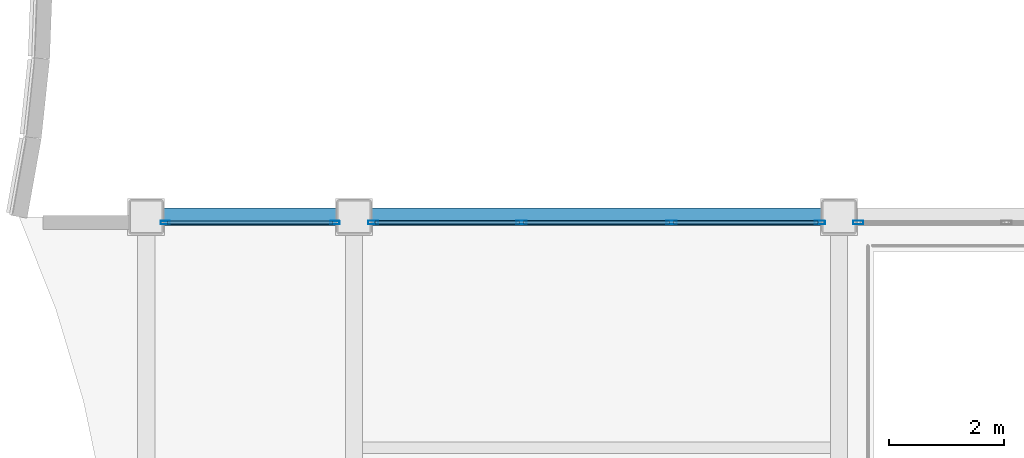
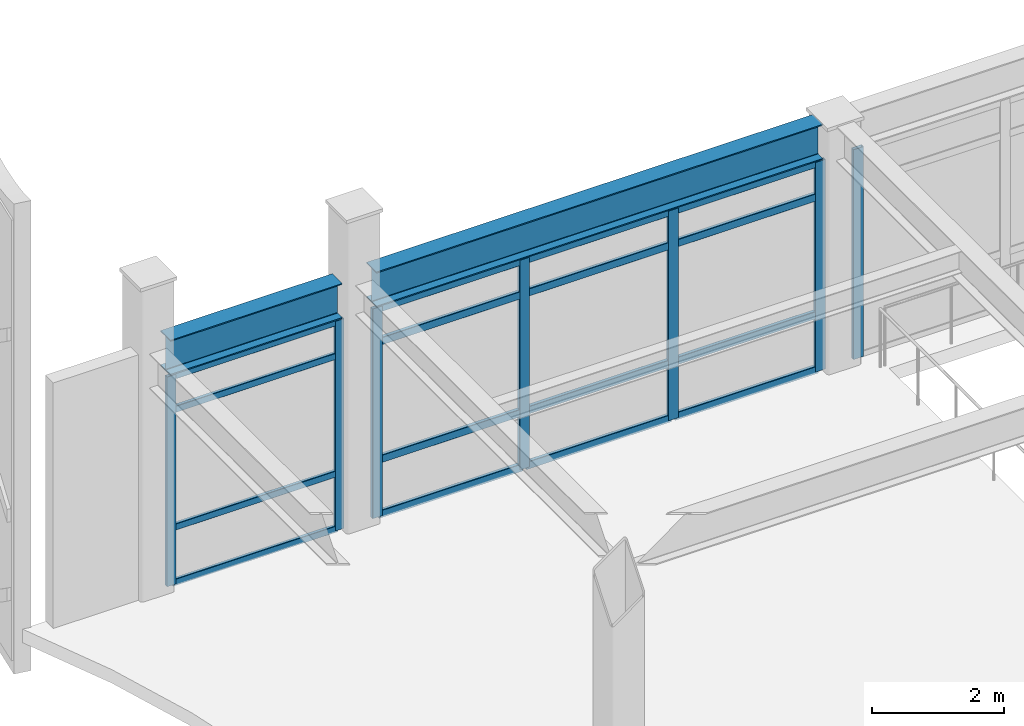
# One storey, part 23 of 172: 23 members, 2 beams, 3 elements without a shape of their own.
"""IFC4 building model written with IfcOpenShell, lengths in metres."""

from ifc_helpers import new_model, si_unit, direction, frame, origin, origin_2d, place, context, subcontext, project, spatial, hollow_rectangle, i_section, extrude, material, layer, layer_set, material_profile, profile_set, type_object, element, aggregate, save


model = new_model("IFC4")

# Units and contexts
model_context = context("Model", 3, precision=1e-05, world=origin(), true_north=direction((0.0, 1.0)))
body_context = subcontext(model_context, "Body", "Model", "MODEL_VIEW")
ifc_project = project(units=[si_unit("LENGTHUNIT", "METRE"), si_unit("AREAUNIT", "SQUARE_METRE"), si_unit("VOLUMEUNIT", "CUBIC_METRE"), si_unit("PLANEANGLEUNIT", "RADIAN"), si_unit("MASSUNIT", "GRAM", prefix="KILO")], contexts=[model_context])

# Site, building, storey
site_placement = place(None, origin())
site = spatial("IfcSite", under=ifc_project, at=site_placement, CompositionType="ELEMENT")
building_placement = place(site_placement, origin())
building = spatial("IfcBuilding", under=site, at=building_placement, Name="Kazehara Bluff Congress Hotel", CompositionType="ELEMENT")
storey_placement = place(building_placement, frame((0.0, 0.0, 5.39990234375)))
storey = spatial("IfcBuildingStorey", under=building, at=storey_placement, Name="L01", CompositionType="ELEMENT", Elevation=5.39990234375)

# Curtain wall, members
ifc_material_1 = material(Name="Anodised aluminium", Category="aluminium")
ifc_layer_1 = layer(ifc_material_1, 0.159912109375)
ifc_layer_set_1 = layer_set([ifc_layer_1], Name="Anodised aluminium")
curtain_wall_type_1 = type_object("IfcCurtainWallType", Name="TP-CW-110", PredefinedType="NOTDEFINED", material=ifc_layer_set_1)
curtain_wall_1_placement = place(storey_placement, origin())
curtain_wall_1 = element("IfcCurtainWall", 1, at=curtain_wall_1_placement, inside=storey, type_object=curtain_wall_type_1, Name="L01 curtain wall CW-110 CW-ENC-V2-L01-660-3190", PredefinedType="NOTDEFINED")
ifc_material_2 = material(Name="Anodised aluminium", Category="aluminium")
ifc_material_profile_1 = material_profile(ifc_material_2, hollow_rectangle(XDim=0.06005859375, YDim=0.159912109375, WallThickness=0.00390625, InnerFilletRadius=0.00390625, OuterFilletRadius=0.008056640625, at=origin_2d()))
ifc_profile_set_1 = profile_set([ifc_material_profile_1], Name="Anodised aluminium")
member_type_1 = type_object("IfcMemberType", Name="TP-CWM-01", PredefinedType="MULLION", material=ifc_profile_set_1)
member_1_placement = place(storey_placement, frame((5.1298828125, 31.89990234375, 0.0), z_axis=(0.0, 0.0, 1.0), x_axis=(0.0, 1.0, 0.0)))
member_1 = element("IfcMember", 2, at=member_1_placement, type_object=member_type_1, Name="CW-110 mullion 1", PredefinedType="MULLION", context=body_context, shape_type="SweptSolid", body=[
    extrude(hollow_rectangle(XDim=0.06005859375, YDim=0.159912109375, WallThickness=0.00390625, InnerFilletRadius=0.00390625, OuterFilletRadius=0.008056640625, at=origin_2d()), origin(), (0.0, 0.0, 1.0), 3.875),
])
member_2_placement = place(storey_placement, frame((8.070068359375, 31.89990234375, 0.0), z_axis=(0.0, 0.0, 1.0), x_axis=(0.0, 1.0, 0.0)))
member_2 = element("IfcMember", 3, at=member_2_placement, type_object=member_type_1, Name="CW-110 mullion 2", PredefinedType="MULLION", context=body_context, shape_type="SweptSolid", body=[
    extrude(hollow_rectangle(XDim=0.06005859375, YDim=0.159912109375, WallThickness=0.00390625, InnerFilletRadius=0.00390625, OuterFilletRadius=0.008056640625, at=origin_2d()), origin(), (0.0, 0.0, 1.0), 3.875),
])

ifc_material_3 = material(Name="Anodised aluminium", Category="aluminium")
ifc_layer_2 = layer(ifc_material_3, 0.159912109375)
ifc_layer_set_2 = layer_set([ifc_layer_2], Name="Anodised aluminium")
curtain_wall_type_2 = type_object("IfcCurtainWallType", Name="TP-CW-29", PredefinedType="NOTDEFINED", material=ifc_layer_set_2)
curtain_wall_2_placement = place(storey_placement, origin())
curtain_wall_2 = element("IfcCurtainWall", 4, at=curtain_wall_2_placement, inside=storey, type_object=curtain_wall_type_2, Name="L01 curtain wall CW-29 CW-ENC-V2-L01-1260-3190", PredefinedType="NOTDEFINED")
ifc_material_4 = material(Name="Anodised aluminium", Category="aluminium")
ifc_material_profile_2 = material_profile(ifc_material_4, hollow_rectangle(XDim=0.06494140625, YDim=0.179931640625, WallThickness=0.00390625, InnerFilletRadius=0.00390625, OuterFilletRadius=0.008056640625, at=origin_2d()))
ifc_profile_set_2 = profile_set([ifc_material_profile_2], Name="Anodised aluminium")
member_type_2 = type_object("IfcMemberType", Name="TP-CWM-02", PredefinedType="MULLION", material=ifc_profile_set_2)
member_3_placement = place(storey_placement, frame((8.732421875, 31.89990234375, 0.0), z_axis=(0.0, 0.0, 1.0), x_axis=(0.0, 1.0, 0.0)))
member_3 = element("IfcMember", 5, at=member_3_placement, type_object=member_type_2, Name="CW-29 mullion 1", PredefinedType="MULLION", context=body_context, shape_type="SweptSolid", body=[
    extrude(hollow_rectangle(XDim=0.06494140625, YDim=0.179931640625, WallThickness=0.00390625, InnerFilletRadius=0.00390625, OuterFilletRadius=0.008056640625, at=origin_2d()), origin(), (0.0, 0.0, 1.0), 3.875),
])
member_4_placement = place(storey_placement, frame((11.300048828125, 31.89990234375, 0.0), z_axis=(0.0, 0.0, 1.0), x_axis=(0.0, 1.0, 0.0)))
member_4 = element("IfcMember", 6, at=member_4_placement, type_object=member_type_2, Name="CW-29 mullion 2", PredefinedType="MULLION", context=body_context, shape_type="SweptSolid", body=[
    extrude(hollow_rectangle(XDim=0.06494140625, YDim=0.179931640625, WallThickness=0.00390625, InnerFilletRadius=0.00390625, OuterFilletRadius=0.008056640625, at=origin_2d()), origin(), (0.0, 0.0, 1.0), 3.875),
])
member_5_placement = place(storey_placement, frame((13.89990234375, 31.89990234375, 0.0), z_axis=(0.0, 0.0, 1.0), x_axis=(0.0, 1.0, 0.0)))
member_5 = element("IfcMember", 7, at=member_5_placement, type_object=member_type_2, Name="CW-29 mullion 3", PredefinedType="MULLION", context=body_context, shape_type="SweptSolid", body=[
    extrude(hollow_rectangle(XDim=0.06494140625, YDim=0.179931640625, WallThickness=0.00390625, InnerFilletRadius=0.00390625, OuterFilletRadius=0.008056640625, at=origin_2d()), origin(), (0.0, 0.0, 1.0), 3.875),
])
member_6_placement = place(storey_placement, frame((16.467529296875, 31.89990234375, 0.0), z_axis=(0.0, 0.0, 1.0), x_axis=(0.0, 1.0, 0.0)))
member_6 = element("IfcMember", 8, at=member_6_placement, type_object=member_type_2, Name="CW-29 mullion 4", PredefinedType="MULLION", context=body_context, shape_type="SweptSolid", body=[
    extrude(hollow_rectangle(XDim=0.06494140625, YDim=0.179931640625, WallThickness=0.00390625, InnerFilletRadius=0.00390625, OuterFilletRadius=0.008056640625, at=origin_2d()), origin(), (0.0, 0.0, 1.0), 3.875),
])

# Curtain wall, member
curtain_wall_3_placement = place(storey_placement, origin())
curtain_wall_3 = element("IfcCurtainWall", 9, at=curtain_wall_3_placement, inside=storey, type_object=curtain_wall_type_2, Name="L01 curtain wall CW-29 CW-ENC-V2-L01-2100-3190", PredefinedType="NOTDEFINED")
member_7_placement = place(storey_placement, frame((17.132568359375, 31.89990234375, 0.0), z_axis=(0.0, 0.0, 1.0), x_axis=(0.0, 1.0, 0.0)))
member_7 = element("IfcMember", 10, at=member_7_placement, type_object=member_type_2, Name="CW-29 mullion 1", PredefinedType="MULLION", context=body_context, shape_type="SweptSolid", body=[
    extrude(hollow_rectangle(XDim=0.06494140625, YDim=0.179931640625, WallThickness=0.00390625, InnerFilletRadius=0.00390625, OuterFilletRadius=0.008056640625, at=origin_2d()), origin(), (0.0, 0.0, 1.0), 3.875),
])
aggregate(curtain_wall_3, [member_7])

# Member
ifc_material_5 = material(Name="Anodised aluminium", Category="aluminium")
ifc_material_profile_3 = material_profile(ifc_material_5, hollow_rectangle(XDim=0.06005859375, YDim=0.1201171875, WallThickness=0.00390625, InnerFilletRadius=0.00390625, OuterFilletRadius=0.008056640625, at=origin_2d()))
ifc_profile_set_3 = profile_set([ifc_material_profile_3], Name="Anodised aluminium")
member_type_3 = type_object("IfcMemberType", Name="TP-CWT-01", PredefinedType="USERDEFINED", material=ifc_profile_set_3)
member_8_placement = place(storey_placement, frame((5.159912109375, 31.89990234375, 0.030029296875), z_axis=(1.0, 0.0, 0.0), x_axis=(0.0, 1.0, 0.0)))
member_8 = element("IfcMember", 11, at=member_8_placement, type_object=member_type_3, Name="CW-110 transom 1.1", ObjectType="TRANSOM", PredefinedType="USERDEFINED", context=body_context, shape_type="SweptSolid", body=[
    extrude(hollow_rectangle(XDim=0.06005859375, YDim=0.1201171875, WallThickness=0.00390625, InnerFilletRadius=0.00390625, OuterFilletRadius=0.008056640625, at=origin_2d()), origin(), (0.0, 0.0, 1.0), 2.880126953125),
])

member_9_placement = place(storey_placement, frame((5.159912109375, 31.89990234375, 1.050048828125), z_axis=(1.0, 0.0, 0.0), x_axis=(0.0, 1.0, 0.0)))
member_9 = element("IfcMember", 12, at=member_9_placement, type_object=member_type_3, Name="CW-110 transom 1.2", ObjectType="TRANSOM", PredefinedType="USERDEFINED", context=body_context, shape_type="SweptSolid", body=[
    extrude(hollow_rectangle(XDim=0.06005859375, YDim=0.1201171875, WallThickness=0.00390625, InnerFilletRadius=0.00390625, OuterFilletRadius=0.008056640625, at=origin_2d()), origin(), (0.0, 0.0, 1.0), 2.880126953125),
])

member_10_placement = place(storey_placement, frame((5.159912109375, 31.89990234375, 3.22509765625), z_axis=(1.0, 0.0, 0.0), x_axis=(0.0, 1.0, 0.0)))
member_10 = element("IfcMember", 13, at=member_10_placement, type_object=member_type_3, Name="CW-110 transom 1.3", ObjectType="TRANSOM", PredefinedType="USERDEFINED", context=body_context, shape_type="SweptSolid", body=[
    extrude(hollow_rectangle(XDim=0.06005859375, YDim=0.1201171875, WallThickness=0.00390625, InnerFilletRadius=0.00390625, OuterFilletRadius=0.008056640625, at=origin_2d()), origin(), (0.0, 0.0, 1.0), 2.880126953125),
])

member_11_placement = place(storey_placement, frame((5.159912109375, 31.89990234375, 3.84521484375), z_axis=(1.0, 0.0, 0.0), x_axis=(0.0, 1.0, 0.0)))
member_11 = element("IfcMember", 14, at=member_11_placement, type_object=member_type_3, Name="CW-110 transom 1.4", ObjectType="TRANSOM", PredefinedType="USERDEFINED", context=body_context, shape_type="SweptSolid", body=[
    extrude(hollow_rectangle(XDim=0.06005859375, YDim=0.1201171875, WallThickness=0.00390625, InnerFilletRadius=0.00390625, OuterFilletRadius=0.008056640625, at=origin_2d()), origin(), (0.0, 0.0, 1.0), 2.880126953125),
])

aggregate(curtain_wall_1, [member_1, member_2, member_8, member_9, member_10, member_11])

ifc_material_6 = material(Name="Anodised aluminium", Category="aluminium")
ifc_material_profile_4 = material_profile(ifc_material_6, hollow_rectangle(XDim=0.06494140625, YDim=0.139892578125, WallThickness=0.00390625, InnerFilletRadius=0.00390625, OuterFilletRadius=0.008056640625, at=origin_2d()))
ifc_profile_set_4 = profile_set([ifc_material_profile_4], Name="Anodised aluminium")
member_type_4 = type_object("IfcMemberType", Name="TP-CWT-02", PredefinedType="USERDEFINED", material=ifc_profile_set_4)
member_12_placement = place(storey_placement, frame((8.764892578125, 31.89990234375, 0.03271484375), z_axis=(1.0, 0.0, 0.0), x_axis=(0.0, 1.0, 0.0)))
member_12 = element("IfcMember", 15, at=member_12_placement, type_object=member_type_4, Name="CW-29 transom 1.1", ObjectType="TRANSOM", PredefinedType="USERDEFINED", context=body_context, shape_type="SweptSolid", body=[
    extrude(hollow_rectangle(XDim=0.06494140625, YDim=0.139892578125, WallThickness=0.00390625, InnerFilletRadius=0.00390625, OuterFilletRadius=0.008056640625, at=origin_2d()), origin(), (0.0, 0.0, 1.0), 2.502685546875),
])

member_13_placement = place(storey_placement, frame((8.764892578125, 31.89990234375, 1.050048828125), z_axis=(1.0, 0.0, 0.0), x_axis=(0.0, 1.0, 0.0)))
member_13 = element("IfcMember", 16, at=member_13_placement, type_object=member_type_4, Name="CW-29 transom 1.2", ObjectType="TRANSOM", PredefinedType="USERDEFINED", context=body_context, shape_type="SweptSolid", body=[
    extrude(hollow_rectangle(XDim=0.06494140625, YDim=0.139892578125, WallThickness=0.00390625, InnerFilletRadius=0.00390625, OuterFilletRadius=0.008056640625, at=origin_2d()), origin(), (0.0, 0.0, 1.0), 2.502685546875),
])

member_14_placement = place(storey_placement, frame((8.764892578125, 31.89990234375, 3.22509765625), z_axis=(1.0, 0.0, 0.0), x_axis=(0.0, 1.0, 0.0)))
member_14 = element("IfcMember", 17, at=member_14_placement, type_object=member_type_4, Name="CW-29 transom 1.3", ObjectType="TRANSOM", PredefinedType="USERDEFINED", context=body_context, shape_type="SweptSolid", body=[
    extrude(hollow_rectangle(XDim=0.06494140625, YDim=0.139892578125, WallThickness=0.00390625, InnerFilletRadius=0.00390625, OuterFilletRadius=0.008056640625, at=origin_2d()), origin(), (0.0, 0.0, 1.0), 2.502685546875),
])

member_15_placement = place(storey_placement, frame((8.764892578125, 31.89990234375, 3.842529296875), z_axis=(1.0, 0.0, 0.0), x_axis=(0.0, 1.0, 0.0)))
member_15 = element("IfcMember", 18, at=member_15_placement, type_object=member_type_4, Name="CW-29 transom 1.4", ObjectType="TRANSOM", PredefinedType="USERDEFINED", context=body_context, shape_type="SweptSolid", body=[
    extrude(hollow_rectangle(XDim=0.06494140625, YDim=0.139892578125, WallThickness=0.00390625, InnerFilletRadius=0.00390625, OuterFilletRadius=0.008056640625, at=origin_2d()), origin(), (0.0, 0.0, 1.0), 2.502685546875),
])

member_16_placement = place(storey_placement, frame((11.33251953125, 31.89990234375, 0.03271484375), z_axis=(1.0, 0.0, 0.0), x_axis=(0.0, 1.0, 0.0)))
member_16 = element("IfcMember", 19, at=member_16_placement, type_object=member_type_4, Name="CW-29 transom 2.1", ObjectType="TRANSOM", PredefinedType="USERDEFINED", context=body_context, shape_type="SweptSolid", body=[
    extrude(hollow_rectangle(XDim=0.06494140625, YDim=0.139892578125, WallThickness=0.00390625, InnerFilletRadius=0.00390625, OuterFilletRadius=0.008056640625, at=origin_2d()), origin(), (0.0, 0.0, 1.0), 2.534912109375),
])

member_17_placement = place(storey_placement, frame((11.33251953125, 31.89990234375, 1.050048828125), z_axis=(1.0, 0.0, 0.0), x_axis=(0.0, 1.0, 0.0)))
member_17 = element("IfcMember", 20, at=member_17_placement, type_object=member_type_4, Name="CW-29 transom 2.2", ObjectType="TRANSOM", PredefinedType="USERDEFINED", context=body_context, shape_type="SweptSolid", body=[
    extrude(hollow_rectangle(XDim=0.06494140625, YDim=0.139892578125, WallThickness=0.00390625, InnerFilletRadius=0.00390625, OuterFilletRadius=0.008056640625, at=origin_2d()), origin(), (0.0, 0.0, 1.0), 2.534912109375),
])

member_18_placement = place(storey_placement, frame((11.33251953125, 31.89990234375, 3.22509765625), z_axis=(1.0, 0.0, 0.0), x_axis=(0.0, 1.0, 0.0)))
member_18 = element("IfcMember", 21, at=member_18_placement, type_object=member_type_4, Name="CW-29 transom 2.3", ObjectType="TRANSOM", PredefinedType="USERDEFINED", context=body_context, shape_type="SweptSolid", body=[
    extrude(hollow_rectangle(XDim=0.06494140625, YDim=0.139892578125, WallThickness=0.00390625, InnerFilletRadius=0.00390625, OuterFilletRadius=0.008056640625, at=origin_2d()), origin(), (0.0, 0.0, 1.0), 2.534912109375),
])

member_19_placement = place(storey_placement, frame((11.33251953125, 31.89990234375, 3.842529296875), z_axis=(1.0, 0.0, 0.0), x_axis=(0.0, 1.0, 0.0)))
member_19 = element("IfcMember", 22, at=member_19_placement, type_object=member_type_4, Name="CW-29 transom 2.4", ObjectType="TRANSOM", PredefinedType="USERDEFINED", context=body_context, shape_type="SweptSolid", body=[
    extrude(hollow_rectangle(XDim=0.06494140625, YDim=0.139892578125, WallThickness=0.00390625, InnerFilletRadius=0.00390625, OuterFilletRadius=0.008056640625, at=origin_2d()), origin(), (0.0, 0.0, 1.0), 2.534912109375),
])

member_20_placement = place(storey_placement, frame((13.9326171875, 31.89990234375, 0.03271484375), z_axis=(1.0, 0.0, 0.0), x_axis=(0.0, 1.0, 0.0)))
member_20 = element("IfcMember", 23, at=member_20_placement, type_object=member_type_4, Name="CW-29 transom 3.1", ObjectType="TRANSOM", PredefinedType="USERDEFINED", context=body_context, shape_type="SweptSolid", body=[
    extrude(hollow_rectangle(XDim=0.06494140625, YDim=0.139892578125, WallThickness=0.00390625, InnerFilletRadius=0.00390625, OuterFilletRadius=0.008056640625, at=origin_2d()), origin(), (0.0, 0.0, 1.0), 2.50244140625),
])

member_21_placement = place(storey_placement, frame((13.9326171875, 31.89990234375, 1.050048828125), z_axis=(1.0, 0.0, 0.0), x_axis=(0.0, 1.0, 0.0)))
member_21 = element("IfcMember", 24, at=member_21_placement, type_object=member_type_4, Name="CW-29 transom 3.2", ObjectType="TRANSOM", PredefinedType="USERDEFINED", context=body_context, shape_type="SweptSolid", body=[
    extrude(hollow_rectangle(XDim=0.06494140625, YDim=0.139892578125, WallThickness=0.00390625, InnerFilletRadius=0.00390625, OuterFilletRadius=0.008056640625, at=origin_2d()), origin(), (0.0, 0.0, 1.0), 2.50244140625),
])

member_22_placement = place(storey_placement, frame((13.9326171875, 31.89990234375, 3.22509765625), z_axis=(1.0, 0.0, 0.0), x_axis=(0.0, 1.0, 0.0)))
member_22 = element("IfcMember", 25, at=member_22_placement, type_object=member_type_4, Name="CW-29 transom 3.3", ObjectType="TRANSOM", PredefinedType="USERDEFINED", context=body_context, shape_type="SweptSolid", body=[
    extrude(hollow_rectangle(XDim=0.06494140625, YDim=0.139892578125, WallThickness=0.00390625, InnerFilletRadius=0.00390625, OuterFilletRadius=0.008056640625, at=origin_2d()), origin(), (0.0, 0.0, 1.0), 2.50244140625),
])

member_23_placement = place(storey_placement, frame((13.9326171875, 31.89990234375, 3.842529296875), z_axis=(1.0, 0.0, 0.0), x_axis=(0.0, 1.0, 0.0)))
member_23 = element("IfcMember", 26, at=member_23_placement, type_object=member_type_4, Name="CW-29 transom 3.4", ObjectType="TRANSOM", PredefinedType="USERDEFINED", context=body_context, shape_type="SweptSolid", body=[
    extrude(hollow_rectangle(XDim=0.06494140625, YDim=0.139892578125, WallThickness=0.00390625, InnerFilletRadius=0.00390625, OuterFilletRadius=0.008056640625, at=origin_2d()), origin(), (0.0, 0.0, 1.0), 2.50244140625),
])

aggregate(curtain_wall_2, [member_3, member_4, member_5, member_6, member_12, member_13, member_14, member_15, member_16, member_17, member_18, member_19, member_20, member_21, member_22, member_23])

# Beams
ifc_material_7 = material(Name="Steel SN490B", Category="steel")
ifc_material_profile_5 = material_profile(ifc_material_7, i_section(OverallWidth=0.300048828125, OverallDepth=0.64990234375, WebThickness=0.011962890625, FlangeThickness=0.02001953125, FilletRadius=0.012939453125, at=origin_2d()))
ifc_profile_set_5 = profile_set([ifc_material_profile_5], Name="Steel SN490B")
beam_type = type_object("IfcBeamType", Name="TP-G-03", PredefinedType="BEAM", material=ifc_profile_set_5)
beam_1_placement = place(storey_placement, frame((5.10009765625, 32.0, 4.22509765625), z_axis=(1.0, 0.0, 0.0), x_axis=(0.0, 1.0, 0.0)))
element("IfcBeam", 27, at=beam_1_placement, inside=storey, type_object=beam_type, Name="L01 girder G-03 88", PredefinedType="BEAM", context=body_context, shape_type="SweptSolid", body=[
    extrude(i_section(OverallWidth=0.300048828125, OverallDepth=0.64990234375, WebThickness=0.011962890625, FlangeThickness=0.02001953125, FilletRadius=0.012939453125, at=origin_2d()), origin(), (0.0, 0.0, 1.0), 3.0),
])
beam_2_placement = place(storey_placement, frame((8.699951171875, 32.0, 4.22509765625), z_axis=(1.0, 0.0, 0.0), x_axis=(0.0, 1.0, 0.0)))
element("IfcBeam", 28, at=beam_2_placement, inside=storey, type_object=beam_type, Name="L01 girder G-03 89", PredefinedType="BEAM", context=body_context, shape_type="SweptSolid", body=[
    extrude(i_section(OverallWidth=0.300048828125, OverallDepth=0.64990234375, WebThickness=0.011962890625, FlangeThickness=0.02001953125, FilletRadius=0.012939453125, at=origin_2d()), origin(), (0.0, 0.0, 1.0), 7.800048828125),
])

save(model, "model.ifc")
